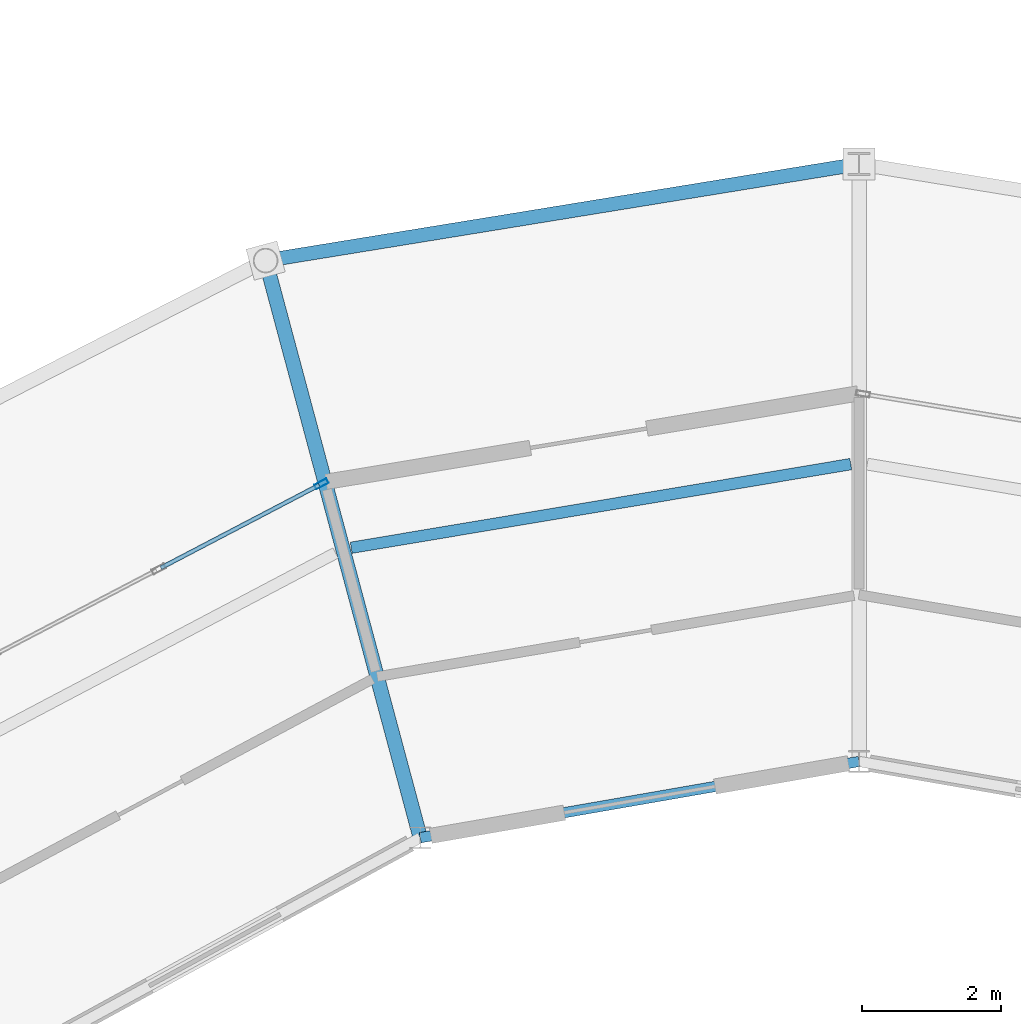
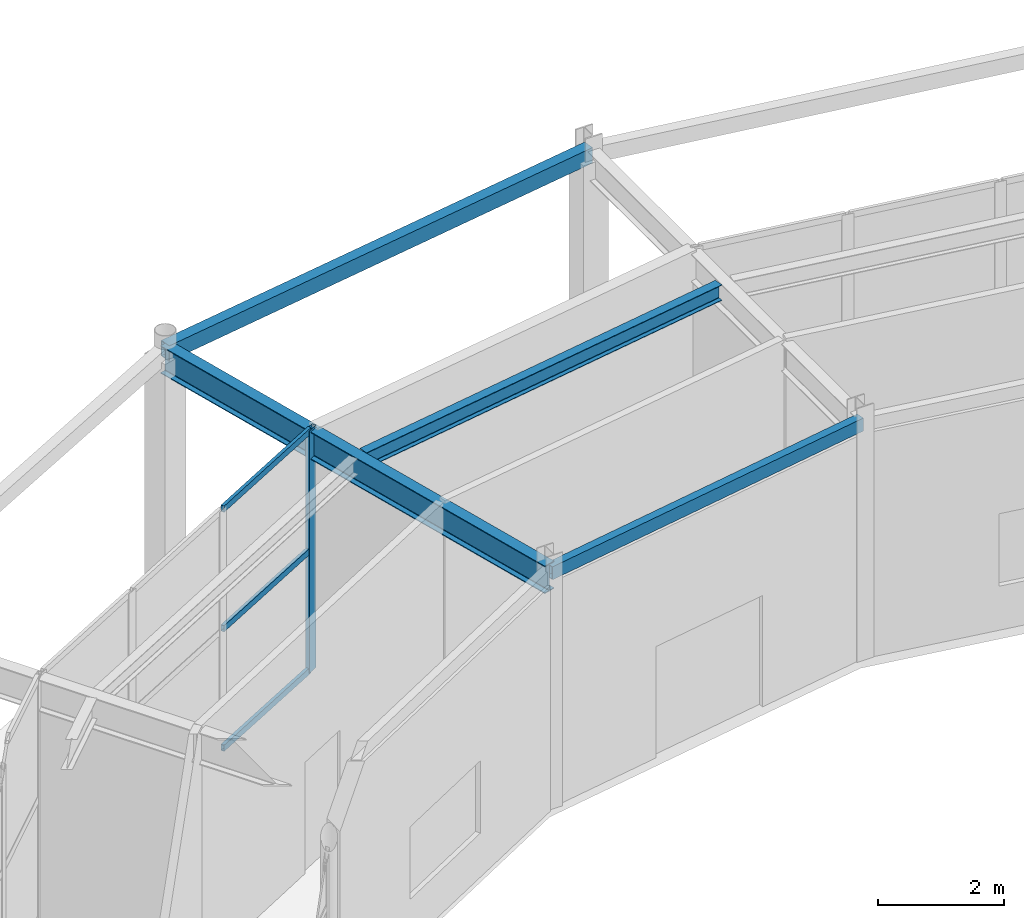
# One storey, part 81 of 144: 4 beams, 4 members, 1 element without a shape of its own.
"""IFC4 building model written with IfcOpenShell, lengths in metres."""

import ifcopenshell
import ifcopenshell.guid

model = None  # the IFC model being written
_history = None  # IfcOwnerHistory: only IFC2X3 demands one
_inside = {}  # id of a spatial element -> (the spatial element, [elements in it])
_under = {}  # id of a project, library or spatial element -> (it, [spatial elements below it])
_declared = {}  # id of a project -> (the project, [libraries it declares])
_typed = {}  # id of a type object -> (the type object, [elements of that type])
_made_of = {}  # id of a material, layer set ... -> (it, [elements and type objects made of it])


def new_model(schema):
    """Start an empty IFC model of exactly this schema.

    Asked for "IFC4X3", IfcOpenShell would pick the latest addendum, in which some entities
    have other attributes; the version numbers below select the first issue.
    IFC2X3 requires an IfcOwnerHistory on every rooted entity: one is made here for all.
    """
    global model, _history
    if schema == "IFC4X3":
        model = ifcopenshell.file(schema_version=(4, 3, 0, 0))
    else:
        model = ifcopenshell.file(schema=schema)
    _inside.clear()
    _under.clear()
    _declared.clear()
    _typed.clear()
    _made_of.clear()
    _history = None
    if model.schema == "IFC2X3":
        org = make("IfcOrganization", Name="unknown")
        user = make(
            "IfcPersonAndOrganization",
            ThePerson=make("IfcPerson", FamilyName="unknown"),
            TheOrganization=org,
        )
        app = make(
            "IfcApplication",
            ApplicationDeveloper=org,
            Version="unknown",
            ApplicationFullName="unknown",
            ApplicationIdentifier="unknown",
        )
        _history = make(
            "IfcOwnerHistory",
            OwningUser=user,
            OwningApplication=app,
            ChangeAction="ADDED",
            CreationDate=0,
        )
    return model


def make(cls, **values):
    """One entity of the class cls with the attributes given. An attribute that is None is left unset."""
    return model.create_entity(
        cls, **{name: value for name, value in values.items() if value is not None}
    )


def rooted(cls, **values):
    """An entity with a GlobalId (a new one), such as an element, a storey or a relation."""
    return make(cls, GlobalId=ifcopenshell.guid.new(), OwnerHistory=_history, **values)


def si_unit(unit_type, name, prefix=None):
    """IfcSIUnit, for example si_unit("LENGTHUNIT", "METRE", prefix="MILLI")."""
    return make("IfcSIUnit", UnitType=unit_type, Prefix=prefix, Name=name)


def assignment(units):
    """IfcUnitAssignment: the units of a project."""
    return None if units is None else make("IfcUnitAssignment", Units=units)


def point(xyz):
    """IfcCartesianPoint."""
    return None if xyz is None else make("IfcCartesianPoint", Coordinates=xyz)


def direction(xyz):
    """IfcDirection."""
    return None if xyz is None else make("IfcDirection", DirectionRatios=xyz)


def frame(location, z_axis=None, x_axis=None):
    """IfcAxis2Placement3D, a coordinate frame: its origin and axes. An axis left out is left unset."""
    return make(
        "IfcAxis2Placement3D",
        Location=point(location),
        Axis=direction(z_axis),
        RefDirection=direction(x_axis),
    )


def frame_2d(location, x_axis=None):
    """IfcAxis2Placement2D, a coordinate frame in the plane: its origin and x axis."""
    return make(
        "IfcAxis2Placement2D", Location=point(location), RefDirection=direction(x_axis)
    )


def origin():
    """The frame at (0, 0, 0) with its axes left unset."""
    return frame((0.0, 0.0, 0.0))


def origin_2d():
    """The frame at (0, 0) in the plane with its x axis left unset."""
    return frame_2d((0.0, 0.0))


def place(relative_to, where):
    """IfcLocalPlacement: puts the frame where relative to a parent placement (None: the world)."""
    return make(
        "IfcLocalPlacement", PlacementRelTo=relative_to, RelativePlacement=where
    )


def context(
    kind, dimensions, precision=None, world=None, true_north=None, identifier=None
):
    """IfcGeometricRepresentationContext, for example the 3D "Model" context."""
    return make(
        "IfcGeometricRepresentationContext",
        ContextIdentifier=identifier,
        ContextType=kind,
        CoordinateSpaceDimension=dimensions,
        Precision=precision,
        WorldCoordinateSystem=world,
        TrueNorth=true_north,
    )


def subcontext(parent, identifier, kind, view, scale=None):
    """IfcGeometricRepresentationSubContext, for example "Body" below "Model"."""
    return make(
        "IfcGeometricRepresentationSubContext",
        ContextIdentifier=identifier,
        ContextType=kind,
        ParentContext=parent,
        TargetScale=scale,
        TargetView=view,
    )


def project(units=None, contexts=None):
    """IfcProject with its units and contexts."""
    return rooted(
        "IfcProject",
        Name="project",
        RepresentationContexts=contexts,
        UnitsInContext=assignment(units),
    )


def spatial(cls, under=None, at=None, **own):
    """A site, building, storey or space (cls), placed at a placement, below another one or the project."""
    s = rooted(cls, ObjectPlacement=at, **own)
    if under is not None:
        _under.setdefault(under.id(), (under, []))[1].append(s)
    return s


def profile(cls, at=None, kind="AREA", **sizes):
    """A parametric profile (cls). Its sizes go by their IFC names, for example OverallWidth=200.0."""
    return make(cls, ProfileType=kind, Position=at, **sizes)


def hollow_rectangle(**sizes):
    """IfcRectangleHollowProfileDef."""
    return profile("IfcRectangleHollowProfileDef", **sizes)


def i_section(**sizes):
    """IfcIShapeProfileDef."""
    return profile("IfcIShapeProfileDef", **sizes)


def extrude(swept, where, along, depth):
    """IfcExtrudedAreaSolid: the profile swept, set in the frame where, extruded along a direction by depth."""
    return make(
        "IfcExtrudedAreaSolid",
        SweptArea=swept,
        Position=where,
        ExtrudedDirection=direction(along),
        Depth=depth,
    )


def shape(context_of_items, identifier, shape_type, items):
    """IfcShapeRepresentation: the items that make up one representation, for example the "Body"."""
    return make(
        "IfcShapeRepresentation",
        ContextOfItems=context_of_items,
        RepresentationIdentifier=identifier,
        RepresentationType=shape_type,
        Items=items,
    )


def material(Name=None, Category=None):
    """IfcMaterial."""
    return make("IfcMaterial", Name=Name, Category=Category)


def material_profile(
    of_material, cross_section, Name=None, Category=None, Priority=None
):
    """IfcMaterialProfile: a cross section and its material."""
    return make(
        "IfcMaterialProfile",
        Name=Name,
        Material=of_material,
        Profile=cross_section,
        Priority=Priority,
        Category=Category,
    )


def profile_set(profiles, Name=None, composite=None):
    """IfcMaterialProfileSet."""
    return make(
        "IfcMaterialProfileSet",
        Name=Name,
        MaterialProfiles=profiles,
        CompositeProfile=composite,
    )


def made_of(thing, what):
    """Note that an element or type object is made of a material, layer set ...; save() writes the relation."""
    if what is not None:
        _made_of.setdefault(what.id(), (what, []))[1].append(thing)
    return thing


def type_object(cls, material=None, **own):
    """A type object (cls), such as IfcWallType, which elements share."""
    return made_of(rooted(cls, **own), material)


def element(
    cls,
    number,
    at=None,
    inside=None,
    cuts=None,
    type_object=None,
    material=None,
    context=None,
    identifier="Body",
    shape_type=None,
    held_by="IfcProductDefinitionShape",
    body=None,
    shapes=None,
    **own,
):
    """One element of the class cls, such as IfcWall. Its Tag is "e" and its number.

    at: its placement. inside: the storey or other place that contains it. cuts: it is an
    opening in that element (IfcRelVoidsElement). A single representation is given by context,
    identifier, shape_type and body (its items); several are given by shapes. held_by: the class
    of the entity that holds the representations. save() writes the other relations.
    """
    e = rooted(cls, Tag="e%d" % number, ObjectPlacement=at, **own)
    if body is not None:
        shapes = [shape(context, identifier, shape_type, body)]
    if shapes is not None:
        e.Representation = make(held_by, Representations=shapes)
    if inside is not None:
        _inside.setdefault(inside.id(), (inside, []))[1].append(e)
    if cuts is not None:
        rooted(
            "IfcRelVoidsElement", RelatingBuildingElement=cuts, RelatedOpeningElement=e
        )
    if type_object is not None:
        _typed.setdefault(type_object.id(), (type_object, []))[1].append(e)
    return made_of(e, material)


def aggregate(whole, parts):
    """IfcRelAggregates: a whole, such as a stair, and the parts it consists of."""
    return rooted("IfcRelAggregates", RelatingObject=whole, RelatedObjects=parts)


def save(model, path):
    """Write the relations noted so far, then the file.

    IfcRelAggregates (storeys below a building ...), IfcRelContainedInSpatialStructure (elements
    in a storey), IfcRelDefinesByType, IfcRelAssociatesMaterial and IfcRelDeclares: one each for
    every whole, place, type object, material and project.
    """
    for whole, parts in _under.values():
        aggregate(whole, parts)
    for where, things in _inside.values():
        rooted(
            "IfcRelContainedInSpatialStructure",
            RelatedElements=things,
            RelatingStructure=where,
        )
    for kind, things in _typed.values():
        rooted("IfcRelDefinesByType", RelatedObjects=things, RelatingType=kind)
    for what, things in _made_of.values():
        rooted("IfcRelAssociatesMaterial", RelatedObjects=things, RelatingMaterial=what)
    for by, libraries in _declared.values():
        rooted("IfcRelDeclares", RelatingContext=by, RelatedDefinitions=libraries)
    model.write(path)


model = new_model("IFC4")

# Units and contexts
model_context = context("Model", 3, precision=1e-05, world=origin(), true_north=direction((0.0, 1.0)))
body_context = subcontext(model_context, "Body", "Model", "MODEL_VIEW")
ifc_project = project(units=[si_unit("LENGTHUNIT", "METRE"), si_unit("AREAUNIT", "SQUARE_METRE"), si_unit("VOLUMEUNIT", "CUBIC_METRE"), si_unit("PLANEANGLEUNIT", "RADIAN"), si_unit("MASSUNIT", "GRAM", prefix="KILO")], contexts=[model_context])

# Site, building, storey
site_placement = place(None, origin())
site = spatial("IfcSite", under=ifc_project, at=site_placement, CompositionType="ELEMENT")
building_placement = place(site_placement, origin())
building = spatial("IfcBuilding", under=site, at=building_placement, Name="Karori Crest Natural Sciences Institute", CompositionType="ELEMENT")
storey_placement = place(building_placement, origin())
storey = spatial("IfcBuildingStorey", under=building, at=storey_placement, Name="L00", CompositionType="ELEMENT", Elevation=0.0)

# Beams
ifc_material_1 = material(Name="Structural steel AS/NZS 3679.1 Grade 350", Category="steel")
ifc_material_profile_1 = material_profile(ifc_material_1, i_section(OverallWidth=0.208984375, OverallDepth=0.532958984375, WebThickness=0.01025390625, FlangeThickness=0.015625, FilletRadius=0.013916015625, at=origin_2d()), Name="530UB92.4")
ifc_profile_set_1 = profile_set([ifc_material_profile_1], Name="Structural steel AS/NZS 3679.1 Grade 350")
beam_type_1 = type_object("IfcBeamType", Name="BT-05", PredefinedType="BEAM", material=ifc_profile_set_1)
beam_1_placement = place(storey_placement, frame((60.084716796875, 81.002685546875, 4.37353515625), z_axis=(-0.258812709002, 0.96592752402, 0.0), x_axis=(-0.96592752402, -0.258812709002, 0.0)))
element("IfcBeam", 1, at=beam_1_placement, inside=storey, type_object=beam_type_1, Name="Beam B-0119", PredefinedType="BEAM", context=body_context, shape_type="SweptSolid", body=[
    extrude(i_section(OverallWidth=0.208984375, OverallDepth=0.532958984375, WebThickness=0.01025390625, FlangeThickness=0.015625, FilletRadius=0.013916015625, at=origin_2d()), origin(), (0.0, 0.0, 1.0), 8.60009765625),
])
ifc_material_profile_2 = material_profile(ifc_material_1, i_section(OverallWidth=0.1650390625, OverallDepth=0.303955078125, WebThickness=0.006103515625, FlangeThickness=0.01025390625, FilletRadius=0.010986328125, at=origin_2d()), Name="310UB40.4")
ifc_profile_set_2 = profile_set([ifc_material_profile_2], Name="Structural steel AS/NZS 3679.1 Grade 350")
beam_type_2 = type_object("IfcBeamType", Name="BT-10", PredefinedType="BEAM", material=ifc_profile_set_2)
beam_2_placement = place(storey_placement, frame((66.281494140625, 86.380126953125, 4.488037109375), z_axis=(-0.98626966223, -0.165142827164, 0.0), x_axis=(0.165142827164, -0.98626966223, 0.0)))
element("IfcBeam", 2, at=beam_2_placement, inside=storey, type_object=beam_type_2, Name="Beam B-0116", PredefinedType="BEAM", context=body_context, shape_type="SweptSolid", body=[
    extrude(i_section(OverallWidth=0.1650390625, OverallDepth=0.303955078125, WebThickness=0.006103515625, FlangeThickness=0.01025390625, FilletRadius=0.010986328125, at=origin_2d()), origin(), (0.0, 0.0, 1.0), 7.291259765625),
])
ifc_material_2 = material(Name="Hollow structural steel AS/NZS 1163 Grade C350", Category="steel")
ifc_material_profile_3 = material_profile(ifc_material_2, hollow_rectangle(XDim=0.199951171875, YDim=0.300048828125, WallThickness=0.010009765625, at=origin_2d()), Name="RHS300x200x10")
ifc_profile_set_3 = profile_set([ifc_material_profile_3], Name="Hollow structural steel AS/NZS 1163 Grade C350")
beam_type_3 = type_object("IfcBeamType", Name="BT-15", PredefinedType="SPANDREL", material=ifc_profile_set_3)
beam_3_placement = place(storey_placement, frame((66.39990234375, 90.699951171875, 4.489990234375), z_axis=(-0.987012055933, -0.160646199591, 0.0), x_axis=(0.160646199591, -0.987012055933, 0.0)))
element("IfcBeam", 3, at=beam_3_placement, inside=storey, type_object=beam_type_3, Name="Beam B-0113", PredefinedType="SPANDREL", context=body_context, shape_type="SweptSolid", body=[
    extrude(hollow_rectangle(XDim=0.199951171875, YDim=0.300048828125, WallThickness=0.010009765625, at=origin_2d()), origin(), (0.0, 0.0, 1.0), 8.6533203125),
])
ifc_material_profile_4 = material_profile(ifc_material_2, hollow_rectangle(XDim=0.14990234375, YDim=0.25, WallThickness=0.009033203125, at=origin_2d()), Name="RHS250x150x9")
ifc_profile_set_4 = profile_set([ifc_material_profile_4], Name="Hollow structural steel AS/NZS 1163 Grade C350")
beam_type_4 = type_object("IfcBeamType", Name="BT-16", PredefinedType="SPANDREL", material=ifc_profile_set_4)
beam_4_placement = place(storey_placement, frame((66.39990234375, 82.10009765625, 4.489990234375), z_axis=(-0.985234948316, -0.171207758638, 0.0), x_axis=(0.171207758638, -0.985234948316, 0.0)))
element("IfcBeam", 4, at=beam_4_placement, inside=storey, type_object=beam_type_4, Name="Beam B-0114", PredefinedType="SPANDREL", context=body_context, shape_type="SweptSolid", body=[
    extrude(hollow_rectangle(XDim=0.14990234375, YDim=0.25, WallThickness=0.009033203125, at=origin_2d()), origin(), (0.0, 0.0, 1.0), 6.409912109375),
])

# Curtain wall, members
ifc_material_3 = material(Name="Anodised architectural aluminium 6063-T6", Category="aluminium")
curtain_wall_type = type_object("IfcCurtainWallType", Name="CWT-08", PredefinedType="NOTDEFINED", material=ifc_material_3)
curtain_wall_placement = place(storey_placement, origin())
curtain_wall = element("IfcCurtainWall", 5, at=curtain_wall_placement, inside=storey, type_object=curtain_wall_type, Name="Curtain wall CW-0009", PredefinedType="NOTDEFINED")
ifc_material_profile_5 = material_profile(ifc_material_3, hollow_rectangle(XDim=0.074951171875, YDim=0.199951171875, WallThickness=0.0048828125, at=origin_2d()), Name="CWM200x75x5")
ifc_profile_set_5 = profile_set([ifc_material_profile_5], Name="Anodised architectural aluminium 6063-T6")
member_type_1 = type_object("IfcMemberType", Name="CWM-02", PredefinedType="MULLION", material=ifc_profile_set_5)
member_1_placement = place(storey_placement, frame((58.662109375, 86.095458984375, 0.0), z_axis=(0.0, 0.0, 1.0), x_axis=(-0.46342574094, 0.88613575858, 0.0)))
member_1 = element("IfcMember", 6, at=member_1_placement, type_object=member_type_1, Name="CW-0009 mullion 4", PredefinedType="MULLION", context=body_context, shape_type="SweptSolid", body=[
    extrude(hollow_rectangle(XDim=0.074951171875, YDim=0.199951171875, WallThickness=0.0048828125, at=origin_2d()), origin(), (0.0, 0.0, 1.0), 4.679931640625),
])
ifc_material_profile_6 = material_profile(ifc_material_3, hollow_rectangle(XDim=0.06005859375, YDim=0.1201171875, WallThickness=0.00390625, at=origin_2d()), Name="CWT120x60x4")
ifc_profile_set_6 = profile_set([ifc_material_profile_6], Name="Anodised architectural aluminium 6063-T6")
member_type_2 = type_object("IfcMemberType", Name="CWT-TR1", PredefinedType="USERDEFINED", material=ifc_profile_set_6)
member_2_placement = place(storey_placement, frame((56.352783203125, 84.8876953125, 0.030029296875), z_axis=(0.886123434904, 0.463449304794, 0.0), x_axis=(-0.463449304794, 0.886123434904, 0.0)))
member_2 = element("IfcMember", 7, at=member_2_placement, type_object=member_type_2, Name="CW-0009 transom 3.1", ObjectType="TRANSOM", PredefinedType="USERDEFINED", context=body_context, shape_type="SweptSolid", body=[
    extrude(hollow_rectangle(XDim=0.06005859375, YDim=0.1201171875, WallThickness=0.00390625, at=origin_2d()), origin(), (0.0, 0.0, 1.0), 2.568603515625),
])
member_3_placement = place(storey_placement, frame((56.352783203125, 84.8876953125, 2.340087890625), z_axis=(0.886123434904, 0.463449304794, 0.0), x_axis=(-0.463449304794, 0.886123434904, 0.0)))
member_3 = element("IfcMember", 8, at=member_3_placement, type_object=member_type_2, Name="CW-0009 transom 3.2", ObjectType="TRANSOM", PredefinedType="USERDEFINED", context=body_context, shape_type="SweptSolid", body=[
    extrude(hollow_rectangle(XDim=0.06005859375, YDim=0.1201171875, WallThickness=0.00390625, at=origin_2d()), origin(), (0.0, 0.0, 1.0), 2.568603515625),
])
member_4_placement = place(storey_placement, frame((56.352783203125, 84.8876953125, 4.64990234375), z_axis=(0.886123434904, 0.463449304794, 0.0), x_axis=(-0.463449304794, 0.886123434904, 0.0)))
member_4 = element("IfcMember", 9, at=member_4_placement, type_object=member_type_2, Name="CW-0009 transom 3.3", ObjectType="TRANSOM", PredefinedType="USERDEFINED", context=body_context, shape_type="SweptSolid", body=[
    extrude(hollow_rectangle(XDim=0.06005859375, YDim=0.1201171875, WallThickness=0.00390625, at=origin_2d()), origin(), (0.0, 0.0, 1.0), 2.568603515625),
])
aggregate(curtain_wall, [member_1, member_2, member_3, member_4])

save(model, "model.ifc")
